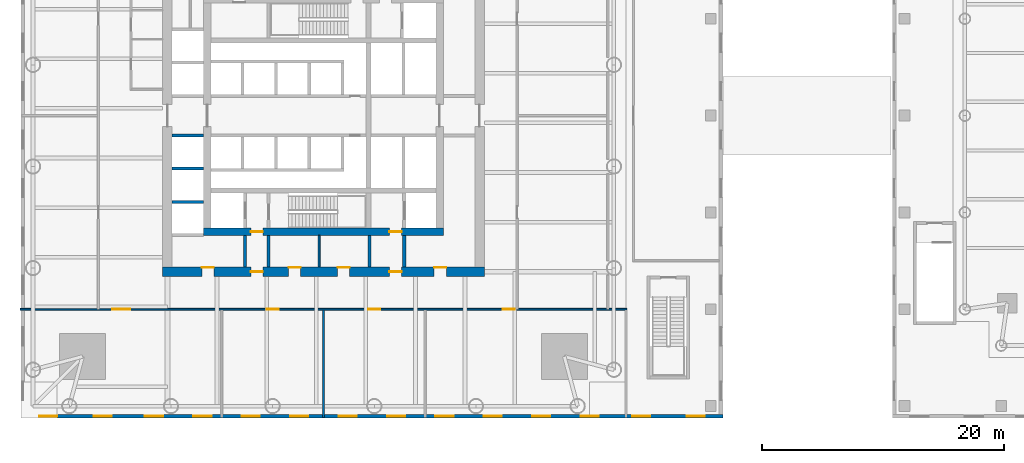
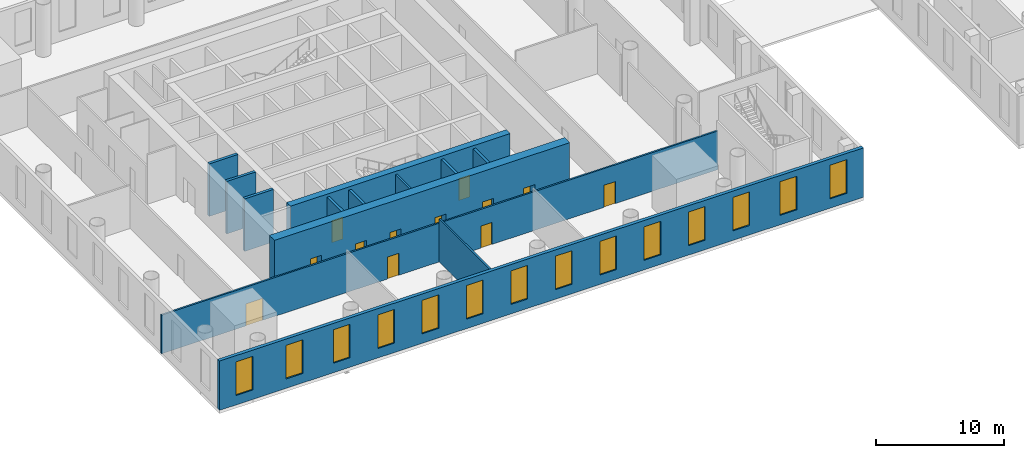
# One storey, part 5 of 16: 14 windows, 13 walls, 12 doors, 26 openings.
"""IFC4 building model written with IfcOpenShell, lengths in metres."""

from ifc_helpers import new_model, si_unit, direction, frame, frame_2d, origin, place, context, subcontext, project, spatial, rectangle, extrude, material, layer, layer_set, type_object, element, fill, save


model = new_model("IFC4")

# Units and contexts
model_context = context("Model", 3, precision=1e-05, world=origin(), true_north=direction((0.0, 1.0)))
body_context = subcontext(model_context, "Body", "Model", "MODEL_VIEW")
ifc_project = project(units=[si_unit("LENGTHUNIT", "METRE"), si_unit("AREAUNIT", "SQUARE_METRE"), si_unit("VOLUMEUNIT", "CUBIC_METRE"), si_unit("PLANEANGLEUNIT", "RADIAN"), si_unit("MASSUNIT", "GRAM", prefix="KILO")], contexts=[model_context])

# Site, building, storey
site_placement = place(None, origin())
site = spatial("IfcSite", under=ifc_project, at=site_placement, CompositionType="ELEMENT")
building_placement = place(site_placement, origin())
building = spatial("IfcBuilding", under=site, at=building_placement, Name="Ostroluk Exchange", CompositionType="ELEMENT")
storey_placement = place(building_placement, frame((0.0, 0.0, 16.0)))
storey = spatial("IfcBuildingStorey", under=building, at=storey_placement, Name="L03", CompositionType="ELEMENT", Elevation=16.0)

# Walls
ifc_material_1 = material(Name="Concrete blockwork", Category="masonry")
ifc_layer_1 = layer(ifc_material_1, 0.14990234375)
ifc_layer_set_1 = layer_set([ifc_layer_1], Name="Blockwork plant room wall 150")
wall_type_1 = type_object("IfcWallType", Name="Blockwork plant room wall 150", PredefinedType="SOLIDWALL", material=ifc_layer_set_1)
wall_1_placement = place(storey_placement, frame((44.639892578125, 33.5, 0.0), z_axis=(0.0, 0.0, 1.0), x_axis=(0.0, 1.0, 0.0)))
element("IfcWall", 1, at=wall_1_placement, inside=storey, type_object=wall_type_1, Name="Core room wall", PredefinedType="SOLIDWALL", context=body_context, shape_type="SweptSolid", body=[
    extrude(rectangle(XDim=2.60009765625, YDim=0.14990234375, at=frame_2d((1.300048828125, 0.0))), origin(), (0.0, 0.0, 1.0), 4.699951171875),
])
ifc_material_2 = material(Name="Concrete blockwork", Category="masonry")
ifc_layer_2 = layer(ifc_material_2, 0.25)
ifc_layer_set_2 = layer_set([ifc_layer_2], Name="Blockwork stair enclosure wall 250")
wall_type_2 = type_object("IfcWallType", Name="Blockwork stair enclosure wall 250", PredefinedType="SOLIDWALL", material=ifc_layer_set_2)
for number, where, z_axis, x_axis, name in (
    (2, (38.52490234375, 33.5, 0.0), (0.0, 0.0, 1.0), (0.0, 1.0, 0.0), "Fire lobby enclosure wall"),
    (3, (40.47509765625, 33.5, 0.0), (0.0, 0.0, 1.0), (0.0, 1.0, 0.0), "Fire lobby enclosure wall"),
    (4, (48.804931640625, 33.5, 0.0), (0.0, 0.0, 1.0), (0.0, 1.0, 0.0), "Service lobby enclosure wall"),
    (5, (51.675048828125, 33.5, 0.0), (0.0, 0.0, 1.0), (0.0, 1.0, 0.0), "Service lobby enclosure wall"),
):
    element("IfcWall", number, at=place(storey_placement, frame(where, z_axis=z_axis, x_axis=x_axis)), inside=storey, type_object=wall_type_2, Name=name, PredefinedType="SOLIDWALL", context=body_context, shape_type="SweptSolid", body=[
        extrude(rectangle(XDim=2.60009765625, YDim=0.25, at=frame_2d((1.300048828125, 0.0))), origin(), (0.0, 0.0, 1.0), 4.699951171875),
    ])
ifc_material_3 = material(Name="Concrete C40/50", Category="concrete")
ifc_layer_3 = layer(ifc_material_3, 0.25)
ifc_layer_set_3 = layer_set([ifc_layer_3], Name="Core shaft wall 250")
wall_type_3 = type_object("IfcWallType", Name="Core shaft wall 250", PredefinedType="SHEAR", material=ifc_layer_set_3)
for number, where, z_axis, x_axis, name in (
    (6, (32.5, 38.875, 0.0), (0.0, 0.0, 1.0), (1.0, 0.0, 0.0), "Lift shaft wall"),
    (7, (32.5, 41.625, 0.0), (0.0, 0.0, 1.0), (1.0, 0.0, 0.0), "Lift shaft wall"),
    (8, (32.5, 44.375, 0.0), (0.0, 0.0, 1.0), (1.0, 0.0, 0.0), "Lift shaft wall"),
):
    element("IfcWall", number, at=place(storey_placement, frame(where, z_axis=z_axis, x_axis=x_axis)), inside=storey, type_object=wall_type_3, Name=name, PredefinedType="SHEAR", context=body_context, shape_type="SweptSolid", body=[
        extrude(rectangle(XDim=2.60009765625, YDim=0.25, at=frame_2d((1.300048828125, 0.0))), origin(), (0.0, 0.0, 1.0), 5.0),
    ])

# Wall, openings, doors
ifc_material_4 = material(Name="Concrete C50/60", Category="concrete")
ifc_layer_4 = layer(ifc_material_4, 0.60009765625)
ifc_layer_set_4 = layer_set([ifc_layer_4], Name="Core wall 600 C50/60")
wall_type_4 = type_object("IfcWallType", Name="Core wall 600 C50/60", PredefinedType="SHEAR", material=ifc_layer_set_4)
wall_2_placement = place(storey_placement, frame((35.10009765625, 36.39990234375, 0.0), z_axis=(0.0, 0.0, 1.0), x_axis=(1.0, 0.0, 0.0)))
wall_2 = element("IfcWall", 9, at=wall_2_placement, inside=storey, type_object=wall_type_4, Name="T1 core wall S", PredefinedType="SHEAR", context=body_context, shape_type="SweptSolid", body=[
    extrude(rectangle(XDim=19.7998046875, YDim=0.60009765625, at=frame_2d((9.89990234375, 0.0))), origin(), (0.0, 0.0, 1.0), 5.0),
])
opening_1_placement = place(wall_2_placement, frame((3.89990234375, 0.0, 0.0)))
opening_1 = element("IfcOpeningElement", 10, at=opening_1_placement, cuts=wall_2, Name="Opening FD60", PredefinedType="OPENING", context=body_context, shape_type="SweptSolid", body=[
    extrude(rectangle(XDim=1.0, YDim=2.10009765625, at=frame_2d((0.5, 1.050048828125))), frame((0.0, 0.31005859375, 0.0), z_axis=(0.0, -1.0, 0.0), x_axis=(1.0, 0.0, 0.0)), (0.0, 0.0, 1.0), 0.6201171875),
])
opening_2_placement = place(wall_2_placement, frame((15.35009765625, 0.0, 0.0)))
opening_2 = element("IfcOpeningElement", 11, at=opening_2_placement, cuts=wall_2, Name="Opening FD60", PredefinedType="OPENING", context=body_context, shape_type="SweptSolid", body=[
    extrude(rectangle(XDim=1.0, YDim=2.10009765625, at=frame_2d((0.5, 1.050048828125))), frame((0.0, 0.31005859375, 0.0), z_axis=(0.0, -1.0, 0.0), x_axis=(1.0, 0.0, 0.0)), (0.0, 0.0, 1.0), 0.6201171875),
])
ifc_material_5 = material(Name="Steel", Category="steel")
door_type_1 = type_object("IfcDoorType", Name="Fire door EI 60 1000 x 2100", OperationType="SINGLE_SWING_LEFT", PredefinedType="DOOR", material=ifc_material_5)
door_1_placement = place(opening_1_placement, origin())
door_1 = element("IfcDoor", 12, at=door_1_placement, inside=storey, type_object=door_type_1, Name="Firefighting lobby door", OperationType="SINGLE_SWING_LEFT", OverallHeight=2.10009765625, OverallWidth=1.0, PredefinedType="DOOR", context=body_context, shape_type="SweptSolid", body=[
    extrude(rectangle(XDim=1.0, YDim=2.10009765625, at=frame_2d((0.5, 1.050048828125))), frame((0.0, 0.02490234375, 0.0), z_axis=(0.0, -1.0, 0.0), x_axis=(1.0, 0.0, 0.0)), (0.0, 0.0, 1.0), 0.050048828125),
])
fill(opening_1, door_1)
door_2_placement = place(opening_2_placement, origin())
door_2 = element("IfcDoor", 13, at=door_2_placement, inside=storey, type_object=door_type_1, Name="Service lobby door", OperationType="SINGLE_SWING_RIGHT", OverallHeight=2.10009765625, OverallWidth=1.0, PredefinedType="DOOR", context=body_context, shape_type="SweptSolid", body=[
    extrude(rectangle(XDim=1.0, YDim=2.10009765625, at=frame_2d((0.5, 1.050048828125))), frame((0.0, 0.02490234375, 0.0), z_axis=(0.0, -1.0, 0.0), x_axis=(1.0, 0.0, 0.0)), (0.0, 0.0, 1.0), 0.050048828125),
])
fill(opening_2, door_2)

ifc_material_6 = material(Name="Concrete C50/60", Category="concrete")
ifc_layer_5 = layer(ifc_material_6, 0.800048828125)
ifc_layer_set_5 = layer_set([ifc_layer_5], Name="Core wall 800 C50/60")
wall_type_5 = type_object("IfcWallType", Name="Core wall 800 C50/60", PredefinedType="SHEAR", material=ifc_layer_set_5)
wall_3_placement = place(storey_placement, frame((31.699951171875, 33.10009765625, 0.0), z_axis=(0.0, 0.0, 1.0), x_axis=(1.0, 0.0, 0.0)))
wall_3 = element("IfcWall", 14, at=wall_3_placement, inside=storey, type_object=wall_type_5, Name="T1 core wall RS", PredefinedType="SHEAR", context=body_context, shape_type="SweptSolid", body=[
    extrude(rectangle(XDim=26.60009765625, YDim=0.800048828125, at=frame_2d((13.300048828125, 0.0))), origin(), (0.0, 0.0, 1.0), 5.0),
])
opening_3_placement = place(wall_3_placement, frame((7.300048828125, 0.0, 0.0)))
opening_3 = element("IfcOpeningElement", 15, at=opening_3_placement, cuts=wall_3, Name="Opening FD60", PredefinedType="OPENING", context=body_context, shape_type="SweptSolid", body=[
    extrude(rectangle(XDim=1.0, YDim=2.10009765625, at=frame_2d((0.5, 1.050048828125))), frame((0.0, 0.409912109375, 0.0), z_axis=(0.0, -1.0, 0.0), x_axis=(1.0, 0.0, 0.0)), (0.0, 0.0, 1.0), 0.820068359375),
])
opening_4_placement = place(wall_3_placement, frame((18.75, 0.0, 0.0)))
opening_4 = element("IfcOpeningElement", 16, at=opening_4_placement, cuts=wall_3, Name="Opening FD60", PredefinedType="OPENING", context=body_context, shape_type="SweptSolid", body=[
    extrude(rectangle(XDim=1.0, YDim=2.10009765625, at=frame_2d((0.5, 1.050048828125))), frame((0.0, 0.409912109375, 0.0), z_axis=(0.0, -1.0, 0.0), x_axis=(1.0, 0.0, 0.0)), (0.0, 0.0, 1.0), 0.820068359375),
])
opening_5_placement = place(wall_3_placement, frame((3.25, 0.0, 0.0)))
opening_5 = element("IfcOpeningElement", 17, at=opening_5_placement, cuts=wall_3, Name="Opening FD60", PredefinedType="OPENING", context=body_context, shape_type="SweptSolid", body=[
    extrude(rectangle(XDim=1.0, YDim=2.10009765625, at=frame_2d((0.5, 1.050048828125))), frame((0.0, 0.409912109375, 0.0), z_axis=(0.0, -1.0, 0.0), x_axis=(1.0, 0.0, 0.0)), (0.0, 0.0, 1.0), 0.820068359375),
])
opening_6_placement = place(wall_3_placement, frame((10.419921875, 0.0, 0.0)))
opening_6 = element("IfcOpeningElement", 18, at=opening_6_placement, cuts=wall_3, Name="Opening FD60", PredefinedType="OPENING", context=body_context, shape_type="SweptSolid", body=[
    extrude(rectangle(XDim=1.0, YDim=2.10009765625, at=frame_2d((0.5, 1.050048828125))), frame((0.0, 0.409912109375, 0.0), z_axis=(0.0, -1.0, 0.0), x_axis=(1.0, 0.0, 0.0)), (0.0, 0.0, 1.0), 0.820068359375),
])
opening_7_placement = place(wall_3_placement, frame((14.4599609375, 0.0, 0.0)))
opening_7 = element("IfcOpeningElement", 19, at=opening_7_placement, cuts=wall_3, Name="Opening FD60", PredefinedType="OPENING", context=body_context, shape_type="SweptSolid", body=[
    extrude(rectangle(XDim=1.0, YDim=2.10009765625, at=frame_2d((0.5, 1.050048828125))), frame((0.0, 0.409912109375, 0.0), z_axis=(0.0, -1.0, 0.0), x_axis=(1.0, 0.0, 0.0)), (0.0, 0.0, 1.0), 0.820068359375),
])
opening_8_placement = place(wall_3_placement, frame((22.449951171875, 0.0, 0.0)))
opening_8 = element("IfcOpeningElement", 20, at=opening_8_placement, cuts=wall_3, Name="Opening FD60", PredefinedType="OPENING", context=body_context, shape_type="SweptSolid", body=[
    extrude(rectangle(XDim=1.0, YDim=2.10009765625, at=frame_2d((0.5, 1.050048828125))), frame((0.0, 0.409912109375, 0.0), z_axis=(0.0, -1.0, 0.0), x_axis=(1.0, 0.0, 0.0)), (0.0, 0.0, 1.0), 0.820068359375),
])
door_3_placement = place(opening_3_placement, origin())
door_3 = element("IfcDoor", 21, at=door_3_placement, inside=storey, type_object=door_type_1, Name="Firefighting lobby door", OperationType="SINGLE_SWING_LEFT", OverallHeight=2.10009765625, OverallWidth=1.0, PredefinedType="DOOR", context=body_context, shape_type="SweptSolid", body=[
    extrude(rectangle(XDim=1.0, YDim=2.10009765625, at=frame_2d((0.5, 1.050048828125))), frame((0.0, 0.02490234375, 0.0), z_axis=(0.0, -1.0, 0.0), x_axis=(1.0, 0.0, 0.0)), (0.0, 0.0, 1.0), 0.050048828125),
])
fill(opening_3, door_3)
door_4_placement = place(opening_4_placement, origin())
door_4 = element("IfcDoor", 22, at=door_4_placement, inside=storey, type_object=door_type_1, Name="Service lobby door", OperationType="SINGLE_SWING_RIGHT", OverallHeight=2.10009765625, OverallWidth=1.0, PredefinedType="DOOR", context=body_context, shape_type="SweptSolid", body=[
    extrude(rectangle(XDim=1.0, YDim=2.10009765625, at=frame_2d((0.5, 1.050048828125))), frame((0.0, 0.02490234375, 0.0), z_axis=(0.0, -1.0, 0.0), x_axis=(1.0, 0.0, 0.0)), (0.0, 0.0, 1.0), 0.050048828125),
])
fill(opening_4, door_4)
door_5_placement = place(opening_5_placement, origin())
door_5 = element("IfcDoor", 23, at=door_5_placement, inside=storey, type_object=door_type_1, Name="Security equipment store door", OperationType="SINGLE_SWING_LEFT", OverallHeight=2.10009765625, OverallWidth=1.0, PredefinedType="DOOR", context=body_context, shape_type="SweptSolid", body=[
    extrude(rectangle(XDim=1.0, YDim=2.10009765625, at=frame_2d((0.5, 1.050048828125))), frame((0.0, 0.39013671875, 0.0), z_axis=(0.0, -1.0, 0.0), x_axis=(1.0, 0.0, 0.0)), (0.0, 0.0, 1.0), 0.050048828125),
])
fill(opening_5, door_5)
door_6_placement = place(opening_6_placement, origin())
door_6 = element("IfcDoor", 24, at=door_6_placement, inside=storey, type_object=door_type_1, Name="Store door", OperationType="SINGLE_SWING_LEFT", OverallHeight=2.10009765625, OverallWidth=1.0, PredefinedType="DOOR", context=body_context, shape_type="SweptSolid", body=[
    extrude(rectangle(XDim=1.0, YDim=2.10009765625, at=frame_2d((0.5, 1.050048828125))), frame((0.0, 0.39013671875, 0.0), z_axis=(0.0, -1.0, 0.0), x_axis=(1.0, 0.0, 0.0)), (0.0, 0.0, 1.0), 0.050048828125),
])
fill(opening_6, door_6)
door_7_placement = place(opening_7_placement, origin())
door_7 = element("IfcDoor", 25, at=door_7_placement, inside=storey, type_object=door_type_1, Name="Cleaner's store door", OperationType="SINGLE_SWING_RIGHT", OverallHeight=2.10009765625, OverallWidth=1.0, PredefinedType="DOOR", context=body_context, shape_type="SweptSolid", body=[
    extrude(rectangle(XDim=1.0, YDim=2.10009765625, at=frame_2d((0.5, 1.050048828125))), frame((0.0, 0.39013671875, 0.0), z_axis=(0.0, -1.0, 0.0), x_axis=(1.0, 0.0, 0.0)), (0.0, 0.0, 1.0), 0.050048828125),
])
fill(opening_7, door_7)
door_8_placement = place(opening_8_placement, origin())
door_8 = element("IfcDoor", 26, at=door_8_placement, inside=storey, type_object=door_type_1, Name="Security equipment store door", OperationType="SINGLE_SWING_RIGHT", OverallHeight=2.10009765625, OverallWidth=1.0, PredefinedType="DOOR", context=body_context, shape_type="SweptSolid", body=[
    extrude(rectangle(XDim=1.0, YDim=2.10009765625, at=frame_2d((0.5, 1.050048828125))), frame((0.0, 0.39013671875, 0.0), z_axis=(0.0, -1.0, 0.0), x_axis=(1.0, 0.0, 0.0)), (0.0, 0.0, 1.0), 0.050048828125),
])
fill(opening_8, door_8)

# Wall, openings, windows
ifc_material_7 = material(Name="Limestone", Category="masonry")
ifc_layer_6 = layer(ifc_material_7, 0.300048828125)
ifc_layer_set_6 = layer_set([ifc_layer_6], Name="Limestone facade wall 300")
wall_type_6 = type_object("IfcWallType", Name="Limestone facade wall 300", PredefinedType="SOLIDWALL", material=ifc_layer_set_6)
wall_4_placement = place(storey_placement, frame((20.0, 21.14990234375, 0.0), z_axis=(0.0, 0.0, 1.0), x_axis=(1.0, 0.0, 0.0)))
wall_4 = element("IfcWall", 27, at=wall_4_placement, inside=storey, type_object=wall_type_6, Name="Podium west S wall L03 1a", PredefinedType="SOLIDWALL", context=body_context, shape_type="SweptSolid", body=[
    extrude(rectangle(XDim=58.0, YDim=0.300048828125, at=frame_2d((29.0, 0.0))), origin(), (0.0, 0.0, 1.0), 4.699951171875),
])
opening_9_placement = place(wall_4_placement, frame((1.5, 0.0, 0.89990234375)))
opening_9 = element("IfcOpeningElement", 28, at=opening_9_placement, cuts=wall_4, Name="Opening WN-L2", PredefinedType="OPENING", context=body_context, shape_type="SweptSolid", body=[
    extrude(rectangle(XDim=1.5, YDim=3.199951171875, at=frame_2d((0.75, 1.60009765625))), frame((0.0, 0.159912109375, 0.0), z_axis=(0.0, -1.0, 0.0), x_axis=(1.0, 0.0, 0.0)), (0.0, 0.0, 1.0), 0.320068359375),
])
opening_10_placement = place(wall_4_placement, frame((6.0, 0.0, 0.89990234375)))
opening_10 = element("IfcOpeningElement", 29, at=opening_10_placement, cuts=wall_4, Name="Opening WN-L2", PredefinedType="OPENING", context=body_context, shape_type="SweptSolid", body=[
    extrude(rectangle(XDim=1.5, YDim=3.199951171875, at=frame_2d((0.75, 1.60009765625))), frame((0.0, 0.159912109375, 0.0), z_axis=(0.0, -1.0, 0.0), x_axis=(1.0, 0.0, 0.0)), (0.0, 0.0, 1.0), 0.320068359375),
])
opening_11_placement = place(wall_4_placement, frame((10.25, 0.0, 0.89990234375)))
opening_11 = element("IfcOpeningElement", 30, at=opening_11_placement, cuts=wall_4, Name="Opening WN-L2", PredefinedType="OPENING", context=body_context, shape_type="SweptSolid", body=[
    extrude(rectangle(XDim=1.5, YDim=3.199951171875, at=frame_2d((0.75, 1.60009765625))), frame((0.0, 0.159912109375, 0.0), z_axis=(0.0, -1.0, 0.0), x_axis=(1.0, 0.0, 0.0)), (0.0, 0.0, 1.0), 0.320068359375),
])
opening_12_placement = place(wall_4_placement, frame((14.25, 0.0, 0.89990234375)))
opening_12 = element("IfcOpeningElement", 31, at=opening_12_placement, cuts=wall_4, Name="Opening WN-L2", PredefinedType="OPENING", context=body_context, shape_type="SweptSolid", body=[
    extrude(rectangle(XDim=1.5, YDim=3.199951171875, at=frame_2d((0.75, 1.60009765625))), frame((0.0, 0.159912109375, 0.0), z_axis=(0.0, -1.0, 0.0), x_axis=(1.0, 0.0, 0.0)), (0.0, 0.0, 1.0), 0.320068359375),
])
opening_13_placement = place(wall_4_placement, frame((18.25, 0.0, 0.89990234375)))
opening_13 = element("IfcOpeningElement", 32, at=opening_13_placement, cuts=wall_4, Name="Opening WN-L2", PredefinedType="OPENING", context=body_context, shape_type="SweptSolid", body=[
    extrude(rectangle(XDim=1.5, YDim=3.199951171875, at=frame_2d((0.75, 1.60009765625))), frame((0.0, 0.159912109375, 0.0), z_axis=(0.0, -1.0, 0.0), x_axis=(1.0, 0.0, 0.0)), (0.0, 0.0, 1.0), 0.320068359375),
])
opening_14_placement = place(wall_4_placement, frame((22.25, 0.0, 0.89990234375)))
opening_14 = element("IfcOpeningElement", 33, at=opening_14_placement, cuts=wall_4, Name="Opening WN-L2", PredefinedType="OPENING", context=body_context, shape_type="SweptSolid", body=[
    extrude(rectangle(XDim=1.5, YDim=3.199951171875, at=frame_2d((0.75, 1.60009765625))), frame((0.0, 0.159912109375, 0.0), z_axis=(0.0, -1.0, 0.0), x_axis=(1.0, 0.0, 0.0)), (0.0, 0.0, 1.0), 0.320068359375),
])
opening_15_placement = place(wall_4_placement, frame((26.25, 0.0, 0.89990234375)))
opening_15 = element("IfcOpeningElement", 34, at=opening_15_placement, cuts=wall_4, Name="Opening WN-L2", PredefinedType="OPENING", context=body_context, shape_type="SweptSolid", body=[
    extrude(rectangle(XDim=1.5, YDim=3.199951171875, at=frame_2d((0.75, 1.60009765625))), frame((0.0, 0.159912109375, 0.0), z_axis=(0.0, -1.0, 0.0), x_axis=(1.0, 0.0, 0.0)), (0.0, 0.0, 1.0), 0.320068359375),
])
opening_16_placement = place(wall_4_placement, frame((30.25, 0.0, 0.89990234375)))
opening_16 = element("IfcOpeningElement", 35, at=opening_16_placement, cuts=wall_4, Name="Opening WN-L2", PredefinedType="OPENING", context=body_context, shape_type="SweptSolid", body=[
    extrude(rectangle(XDim=1.5, YDim=3.199951171875, at=frame_2d((0.75, 1.60009765625))), frame((0.0, 0.159912109375, 0.0), z_axis=(0.0, -1.0, 0.0), x_axis=(1.0, 0.0, 0.0)), (0.0, 0.0, 1.0), 0.320068359375),
])
opening_17_placement = place(wall_4_placement, frame((34.25, 0.0, 0.89990234375)))
opening_17 = element("IfcOpeningElement", 36, at=opening_17_placement, cuts=wall_4, Name="Opening WN-L2", PredefinedType="OPENING", context=body_context, shape_type="SweptSolid", body=[
    extrude(rectangle(XDim=1.5, YDim=3.199951171875, at=frame_2d((0.75, 1.60009765625))), frame((0.0, 0.159912109375, 0.0), z_axis=(0.0, -1.0, 0.0), x_axis=(1.0, 0.0, 0.0)), (0.0, 0.0, 1.0), 0.320068359375),
])
opening_18_placement = place(wall_4_placement, frame((38.25, 0.0, 0.89990234375)))
opening_18 = element("IfcOpeningElement", 37, at=opening_18_placement, cuts=wall_4, Name="Opening WN-L2", PredefinedType="OPENING", context=body_context, shape_type="SweptSolid", body=[
    extrude(rectangle(XDim=1.5, YDim=3.199951171875, at=frame_2d((0.75, 1.60009765625))), frame((0.0, 0.159912109375, 0.0), z_axis=(0.0, -1.0, 0.0), x_axis=(1.0, 0.0, 0.0)), (0.0, 0.0, 1.0), 0.320068359375),
])
opening_19_placement = place(wall_4_placement, frame((42.25, 0.0, 0.89990234375)))
opening_19 = element("IfcOpeningElement", 38, at=opening_19_placement, cuts=wall_4, Name="Opening WN-L2", PredefinedType="OPENING", context=body_context, shape_type="SweptSolid", body=[
    extrude(rectangle(XDim=1.5, YDim=3.199951171875, at=frame_2d((0.75, 1.60009765625))), frame((0.0, 0.159912109375, 0.0), z_axis=(0.0, -1.0, 0.0), x_axis=(1.0, 0.0, 0.0)), (0.0, 0.0, 1.0), 0.320068359375),
])
opening_20_placement = place(wall_4_placement, frame((46.25, 0.0, 0.89990234375)))
opening_20 = element("IfcOpeningElement", 39, at=opening_20_placement, cuts=wall_4, Name="Opening WN-L2", PredefinedType="OPENING", context=body_context, shape_type="SweptSolid", body=[
    extrude(rectangle(XDim=1.5, YDim=3.199951171875, at=frame_2d((0.75, 1.60009765625))), frame((0.0, 0.159912109375, 0.0), z_axis=(0.0, -1.0, 0.0), x_axis=(1.0, 0.0, 0.0)), (0.0, 0.0, 1.0), 0.320068359375),
])
opening_21_placement = place(wall_4_placement, frame((50.5, 0.0, 0.89990234375)))
opening_21 = element("IfcOpeningElement", 40, at=opening_21_placement, cuts=wall_4, Name="Opening WN-L2", PredefinedType="OPENING", context=body_context, shape_type="SweptSolid", body=[
    extrude(rectangle(XDim=1.5, YDim=3.199951171875, at=frame_2d((0.75, 1.60009765625))), frame((0.0, 0.159912109375, 0.0), z_axis=(0.0, -1.0, 0.0), x_axis=(1.0, 0.0, 0.0)), (0.0, 0.0, 1.0), 0.320068359375),
])
opening_22_placement = place(wall_4_placement, frame((55.0, 0.0, 0.89990234375)))
opening_22 = element("IfcOpeningElement", 41, at=opening_22_placement, cuts=wall_4, Name="Opening WN-L2", PredefinedType="OPENING", context=body_context, shape_type="SweptSolid", body=[
    extrude(rectangle(XDim=1.5, YDim=3.199951171875, at=frame_2d((0.75, 1.60009765625))), frame((0.0, 0.159912109375, 0.0), z_axis=(0.0, -1.0, 0.0), x_axis=(1.0, 0.0, 0.0)), (0.0, 0.0, 1.0), 0.320068359375),
])
ifc_material_8 = material(Name="Laminated clear glass", Category="glass")
window_type = type_object("IfcWindowType", Name="Podium lancet window 1500 x 3200", PartitioningType="DOUBLE_PANEL_VERTICAL", PredefinedType="WINDOW", material=ifc_material_8)
window_1_placement = place(opening_9_placement, origin())
window_1 = element("IfcWindow", 42, at=window_1_placement, inside=storey, type_object=window_type, Name="Podium west lancet window S L03 1.1", OverallHeight=3.199951171875, OverallWidth=1.5, PartitioningType="SINGLE_PANEL", PredefinedType="WINDOW", context=body_context, shape_type="SweptSolid", body=[
    extrude(rectangle(XDim=1.5, YDim=3.199951171875, at=frame_2d((0.75, 1.60009765625))), frame((0.0, 0.030029296875, 0.0), z_axis=(0.0, -1.0, 0.0), x_axis=(1.0, 0.0, 0.0)), (0.0, 0.0, 1.0), 0.06005859375),
])
fill(opening_9, window_1)
window_2_placement = place(opening_10_placement, origin())
window_2 = element("IfcWindow", 43, at=window_2_placement, inside=storey, type_object=window_type, Name="Podium west lancet window S L03 1.2", OverallHeight=3.199951171875, OverallWidth=1.5, PartitioningType="SINGLE_PANEL", PredefinedType="WINDOW", context=body_context, shape_type="SweptSolid", body=[
    extrude(rectangle(XDim=1.5, YDim=3.199951171875, at=frame_2d((0.75, 1.60009765625))), frame((0.0, 0.030029296875, 0.0), z_axis=(0.0, -1.0, 0.0), x_axis=(1.0, 0.0, 0.0)), (0.0, 0.0, 1.0), 0.06005859375),
])
fill(opening_10, window_2)
window_3_placement = place(opening_11_placement, origin())
window_3 = element("IfcWindow", 44, at=window_3_placement, inside=storey, type_object=window_type, Name="Podium west lancet window S L03 2.1", OverallHeight=3.199951171875, OverallWidth=1.5, PartitioningType="SINGLE_PANEL", PredefinedType="WINDOW", context=body_context, shape_type="SweptSolid", body=[
    extrude(rectangle(XDim=1.5, YDim=3.199951171875, at=frame_2d((0.75, 1.60009765625))), frame((0.0, 0.030029296875, 0.0), z_axis=(0.0, -1.0, 0.0), x_axis=(1.0, 0.0, 0.0)), (0.0, 0.0, 1.0), 0.06005859375),
])
fill(opening_11, window_3)
window_4_placement = place(opening_12_placement, origin())
window_4 = element("IfcWindow", 45, at=window_4_placement, inside=storey, type_object=window_type, Name="Podium west lancet window S L03 2.2", OverallHeight=3.199951171875, OverallWidth=1.5, PartitioningType="SINGLE_PANEL", PredefinedType="WINDOW", context=body_context, shape_type="SweptSolid", body=[
    extrude(rectangle(XDim=1.5, YDim=3.199951171875, at=frame_2d((0.75, 1.60009765625))), frame((0.0, 0.030029296875, 0.0), z_axis=(0.0, -1.0, 0.0), x_axis=(1.0, 0.0, 0.0)), (0.0, 0.0, 1.0), 0.06005859375),
])
fill(opening_12, window_4)
window_5_placement = place(opening_13_placement, origin())
window_5 = element("IfcWindow", 46, at=window_5_placement, inside=storey, type_object=window_type, Name="Podium west lancet window S L03 3.1", OverallHeight=3.199951171875, OverallWidth=1.5, PartitioningType="SINGLE_PANEL", PredefinedType="WINDOW", context=body_context, shape_type="SweptSolid", body=[
    extrude(rectangle(XDim=1.5, YDim=3.199951171875, at=frame_2d((0.75, 1.60009765625))), frame((0.0, 0.030029296875, 0.0), z_axis=(0.0, -1.0, 0.0), x_axis=(1.0, 0.0, 0.0)), (0.0, 0.0, 1.0), 0.06005859375),
])
fill(opening_13, window_5)
window_6_placement = place(opening_14_placement, origin())
window_6 = element("IfcWindow", 47, at=window_6_placement, inside=storey, type_object=window_type, Name="Podium west lancet window S L03 3.2", OverallHeight=3.199951171875, OverallWidth=1.5, PartitioningType="SINGLE_PANEL", PredefinedType="WINDOW", context=body_context, shape_type="SweptSolid", body=[
    extrude(rectangle(XDim=1.5, YDim=3.199951171875, at=frame_2d((0.75, 1.60009765625))), frame((0.0, 0.030029296875, 0.0), z_axis=(0.0, -1.0, 0.0), x_axis=(1.0, 0.0, 0.0)), (0.0, 0.0, 1.0), 0.06005859375),
])
fill(opening_14, window_6)
window_7_placement = place(opening_15_placement, origin())
window_7 = element("IfcWindow", 48, at=window_7_placement, inside=storey, type_object=window_type, Name="Podium west lancet window S L03 4.1", OverallHeight=3.199951171875, OverallWidth=1.5, PartitioningType="SINGLE_PANEL", PredefinedType="WINDOW", context=body_context, shape_type="SweptSolid", body=[
    extrude(rectangle(XDim=1.5, YDim=3.199951171875, at=frame_2d((0.75, 1.60009765625))), frame((0.0, 0.030029296875, 0.0), z_axis=(0.0, -1.0, 0.0), x_axis=(1.0, 0.0, 0.0)), (0.0, 0.0, 1.0), 0.06005859375),
])
fill(opening_15, window_7)
window_8_placement = place(opening_16_placement, origin())
window_8 = element("IfcWindow", 49, at=window_8_placement, inside=storey, type_object=window_type, Name="Podium west lancet window S L03 4.2", OverallHeight=3.199951171875, OverallWidth=1.5, PartitioningType="SINGLE_PANEL", PredefinedType="WINDOW", context=body_context, shape_type="SweptSolid", body=[
    extrude(rectangle(XDim=1.5, YDim=3.199951171875, at=frame_2d((0.75, 1.60009765625))), frame((0.0, 0.030029296875, 0.0), z_axis=(0.0, -1.0, 0.0), x_axis=(1.0, 0.0, 0.0)), (0.0, 0.0, 1.0), 0.06005859375),
])
fill(opening_16, window_8)
window_9_placement = place(opening_17_placement, origin())
window_9 = element("IfcWindow", 50, at=window_9_placement, inside=storey, type_object=window_type, Name="Podium west lancet window S L03 5.1", OverallHeight=3.199951171875, OverallWidth=1.5, PartitioningType="SINGLE_PANEL", PredefinedType="WINDOW", context=body_context, shape_type="SweptSolid", body=[
    extrude(rectangle(XDim=1.5, YDim=3.199951171875, at=frame_2d((0.75, 1.60009765625))), frame((0.0, 0.030029296875, 0.0), z_axis=(0.0, -1.0, 0.0), x_axis=(1.0, 0.0, 0.0)), (0.0, 0.0, 1.0), 0.06005859375),
])
fill(opening_17, window_9)
window_10_placement = place(opening_18_placement, origin())
window_10 = element("IfcWindow", 51, at=window_10_placement, inside=storey, type_object=window_type, Name="Podium west lancet window S L03 5.2", OverallHeight=3.199951171875, OverallWidth=1.5, PartitioningType="SINGLE_PANEL", PredefinedType="WINDOW", context=body_context, shape_type="SweptSolid", body=[
    extrude(rectangle(XDim=1.5, YDim=3.199951171875, at=frame_2d((0.75, 1.60009765625))), frame((0.0, 0.030029296875, 0.0), z_axis=(0.0, -1.0, 0.0), x_axis=(1.0, 0.0, 0.0)), (0.0, 0.0, 1.0), 0.06005859375),
])
fill(opening_18, window_10)
window_11_placement = place(opening_19_placement, origin())
window_11 = element("IfcWindow", 52, at=window_11_placement, inside=storey, type_object=window_type, Name="Podium west lancet window S L03 6.1", OverallHeight=3.199951171875, OverallWidth=1.5, PartitioningType="SINGLE_PANEL", PredefinedType="WINDOW", context=body_context, shape_type="SweptSolid", body=[
    extrude(rectangle(XDim=1.5, YDim=3.199951171875, at=frame_2d((0.75, 1.60009765625))), frame((0.0, 0.030029296875, 0.0), z_axis=(0.0, -1.0, 0.0), x_axis=(1.0, 0.0, 0.0)), (0.0, 0.0, 1.0), 0.06005859375),
])
fill(opening_19, window_11)
window_12_placement = place(opening_20_placement, origin())
window_12 = element("IfcWindow", 53, at=window_12_placement, inside=storey, type_object=window_type, Name="Podium west lancet window S L03 6.2", OverallHeight=3.199951171875, OverallWidth=1.5, PartitioningType="SINGLE_PANEL", PredefinedType="WINDOW", context=body_context, shape_type="SweptSolid", body=[
    extrude(rectangle(XDim=1.5, YDim=3.199951171875, at=frame_2d((0.75, 1.60009765625))), frame((0.0, 0.030029296875, 0.0), z_axis=(0.0, -1.0, 0.0), x_axis=(1.0, 0.0, 0.0)), (0.0, 0.0, 1.0), 0.06005859375),
])
fill(opening_20, window_12)
window_13_placement = place(opening_21_placement, origin())
window_13 = element("IfcWindow", 54, at=window_13_placement, inside=storey, type_object=window_type, Name="Podium west lancet window S L03 7.1", OverallHeight=3.199951171875, OverallWidth=1.5, PartitioningType="SINGLE_PANEL", PredefinedType="WINDOW", context=body_context, shape_type="SweptSolid", body=[
    extrude(rectangle(XDim=1.5, YDim=3.199951171875, at=frame_2d((0.75, 1.60009765625))), frame((0.0, 0.030029296875, 0.0), z_axis=(0.0, -1.0, 0.0), x_axis=(1.0, 0.0, 0.0)), (0.0, 0.0, 1.0), 0.06005859375),
])
fill(opening_21, window_13)
window_14_placement = place(opening_22_placement, origin())
window_14 = element("IfcWindow", 55, at=window_14_placement, inside=storey, type_object=window_type, Name="Podium west lancet window S L03 7.2", OverallHeight=3.199951171875, OverallWidth=1.5, PartitioningType="SINGLE_PANEL", PredefinedType="WINDOW", context=body_context, shape_type="SweptSolid", body=[
    extrude(rectangle(XDim=1.5, YDim=3.199951171875, at=frame_2d((0.75, 1.60009765625))), frame((0.0, 0.030029296875, 0.0), z_axis=(0.0, -1.0, 0.0), x_axis=(1.0, 0.0, 0.0)), (0.0, 0.0, 1.0), 0.06005859375),
])
fill(opening_22, window_14)

# Wall, openings, doors
ifc_material_9 = material(Name="Gypsum plasterboard partition", Category="gypsum")
ifc_layer_7 = layer(ifc_material_9, 0.14990234375)
ifc_layer_set_7 = layer_set([ifc_layer_7], Name="Plasterboard partition 150")
wall_type_7 = type_object("IfcWallType", Name="Plasterboard partition 150", PredefinedType="PARTITIONING", material=ifc_layer_set_7)
wall_5_placement = place(storey_placement, frame((19.925048828125, 30.0, 0.0), z_axis=(0.0, 0.0, 1.0), x_axis=(1.0, 0.0, 0.0)))
wall_5 = element("IfcWall", 56, at=wall_5_placement, inside=storey, type_object=wall_type_7, Name="Partition", PredefinedType="PARTITIONING", context=body_context, shape_type="SweptSolid", body=[
    extrude(rectangle(XDim=50.14990234375, YDim=0.14990234375, at=frame_2d((25.074951171875, 0.0))), origin(), (0.0, 0.0, 1.0), 3.68798828125),
])
opening_23_placement = place(wall_5_placement, frame((7.625, 0.0, 0.0)))
opening_23 = element("IfcOpeningElement", 57, at=opening_23_placement, cuts=wall_5, Name="Opening D-07", PredefinedType="OPENING", context=body_context, shape_type="SweptSolid", body=[
    extrude(rectangle(XDim=1.5, YDim=2.10009765625, at=frame_2d((0.75, 1.050048828125))), frame((0.0, 0.0849609375, 0.0), z_axis=(0.0, -1.0, 0.0), x_axis=(1.0, 0.0, 0.0)), (0.0, 0.0, 1.0), 0.169921875),
])
opening_24_placement = place(wall_5_placement, frame((20.375, 0.0, 0.0)))
opening_24 = element("IfcOpeningElement", 58, at=opening_24_placement, cuts=wall_5, Name="Opening D-03", PredefinedType="OPENING", context=body_context, shape_type="SweptSolid", body=[
    extrude(rectangle(XDim=1.0, YDim=2.10009765625, at=frame_2d((0.5, 1.050048828125))), frame((0.0, 0.0849609375, 0.0), z_axis=(0.0, -1.0, 0.0), x_axis=(1.0, 0.0, 0.0)), (0.0, 0.0, 1.0), 0.169921875),
])
opening_25_placement = place(wall_5_placement, frame((28.77490234375, 0.0, 0.0)))
opening_25 = element("IfcOpeningElement", 59, at=opening_25_placement, cuts=wall_5, Name="Opening D-03", PredefinedType="OPENING", context=body_context, shape_type="SweptSolid", body=[
    extrude(rectangle(XDim=1.0, YDim=2.10009765625, at=frame_2d((0.5, 1.050048828125))), frame((0.0, 0.0849609375, 0.0), z_axis=(0.0, -1.0, 0.0), x_axis=(1.0, 0.0, 0.0)), (0.0, 0.0, 1.0), 0.169921875),
])
opening_26_placement = place(wall_5_placement, frame((39.875, 0.0, 0.0)))
opening_26 = element("IfcOpeningElement", 60, at=opening_26_placement, cuts=wall_5, Name="Opening D-03", PredefinedType="OPENING", context=body_context, shape_type="SweptSolid", body=[
    extrude(rectangle(XDim=1.0, YDim=2.10009765625, at=frame_2d((0.5, 1.050048828125))), frame((0.0, 0.0849609375, 0.0), z_axis=(0.0, -1.0, 0.0), x_axis=(1.0, 0.0, 0.0)), (0.0, 0.0, 1.0), 0.169921875),
])
ifc_material_10 = material(Name="Timber", Category="wood")
door_type_2 = type_object("IfcDoorType", Name="Internal door 1000 x 2100", OperationType="SINGLE_SWING_LEFT", PredefinedType="DOOR", material=ifc_material_10)
door_9_placement = place(opening_24_placement, origin())
door_9 = element("IfcDoor", 61, at=door_9_placement, inside=storey, type_object=door_type_2, Name="Kitchen store door", OperationType="SINGLE_SWING_LEFT", OverallHeight=2.10009765625, OverallWidth=1.0, PredefinedType="DOOR", context=body_context, shape_type="SweptSolid", body=[
    extrude(rectangle(XDim=1.0, YDim=2.10009765625, at=frame_2d((0.5, 1.050048828125))), frame((0.0, 0.02490234375, 0.0), z_axis=(0.0, -1.0, 0.0), x_axis=(1.0, 0.0, 0.0)), (0.0, 0.0, 1.0), 0.050048828125),
])
fill(opening_24, door_9)
door_10_placement = place(opening_25_placement, origin())
door_10 = element("IfcDoor", 62, at=door_10_placement, inside=storey, type_object=door_type_2, Name="Staff room door", OperationType="SINGLE_SWING_RIGHT", OverallHeight=2.10009765625, OverallWidth=1.0, PredefinedType="DOOR", context=body_context, shape_type="SweptSolid", body=[
    extrude(rectangle(XDim=1.0, YDim=2.10009765625, at=frame_2d((0.5, 1.050048828125))), frame((0.0, 0.02490234375, 0.0), z_axis=(0.0, -1.0, 0.0), x_axis=(1.0, 0.0, 0.0)), (0.0, 0.0, 1.0), 0.050048828125),
])
fill(opening_25, door_10)
door_11_placement = place(opening_26_placement, origin())
door_11 = element("IfcDoor", 63, at=door_11_placement, inside=storey, type_object=door_type_2, Name="Office door", OperationType="SINGLE_SWING_RIGHT", OverallHeight=2.10009765625, OverallWidth=1.0, PredefinedType="DOOR", context=body_context, shape_type="SweptSolid", body=[
    extrude(rectangle(XDim=1.0, YDim=2.10009765625, at=frame_2d((0.5, 1.050048828125))), frame((0.0, 0.02490234375, 0.0), z_axis=(0.0, -1.0, 0.0), x_axis=(1.0, 0.0, 0.0)), (0.0, 0.0, 1.0), 0.050048828125),
])
fill(opening_26, door_11)
ifc_material_11 = material(Name="Steel", Category="steel")
door_type_3 = type_object("IfcDoorType", Name="Kitchen double door 1500 x 2100", OperationType="DOUBLE_DOOR_DOUBLE_SWING", PredefinedType="DOOR", material=ifc_material_11)
door_12_placement = place(opening_23_placement, origin())
door_12 = element("IfcDoor", 64, at=door_12_placement, inside=storey, type_object=door_type_3, Name="Kitchen door", OperationType="DOUBLE_DOOR_DOUBLE_SWING", OverallHeight=2.10009765625, OverallWidth=1.5, PredefinedType="DOOR", context=body_context, shape_type="SweptSolid", body=[
    extrude(rectangle(XDim=1.5, YDim=2.10009765625, at=frame_2d((0.75, 1.050048828125))), frame((0.0, 0.02490234375, 0.0), z_axis=(0.0, -1.0, 0.0), x_axis=(1.0, 0.0, 0.0)), (0.0, 0.0, 1.0), 0.050048828125),
])
fill(opening_23, door_12)

# Wall
wall_6_placement = place(storey_placement, frame((45.0, 21.074951171875, 0.0), z_axis=(0.0, 0.0, 1.0), x_axis=(0.0, 1.0, 0.0)))
element("IfcWall", 65, at=wall_6_placement, inside=storey, type_object=wall_type_7, Name="Partition", PredefinedType="PARTITIONING", context=body_context, shape_type="SweptSolid", body=[
    extrude(rectangle(XDim=8.85009765625, YDim=0.14990234375, at=frame_2d((4.425048828125, 0.0))), origin(), (0.0, 0.0, 1.0), 4.10009765625),
])

save(model, "model.ifc")
